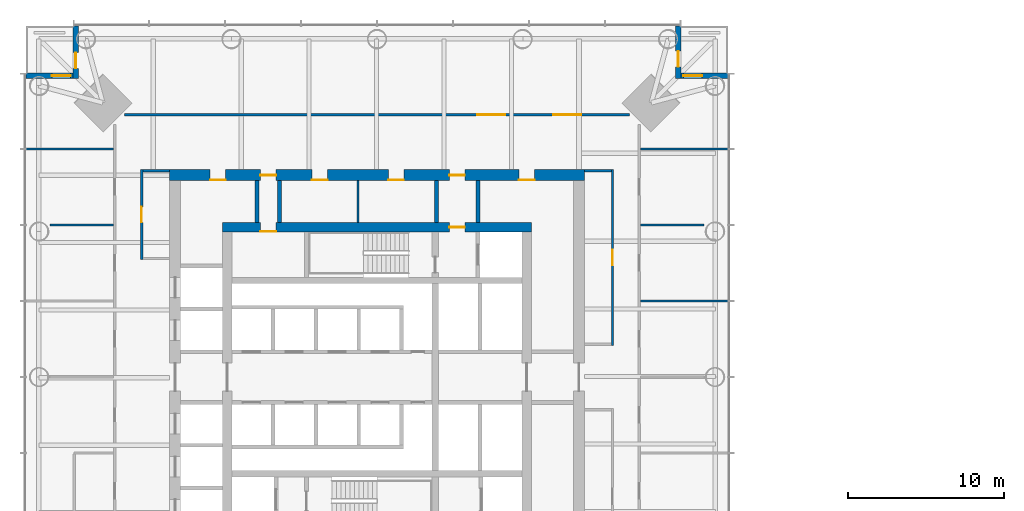
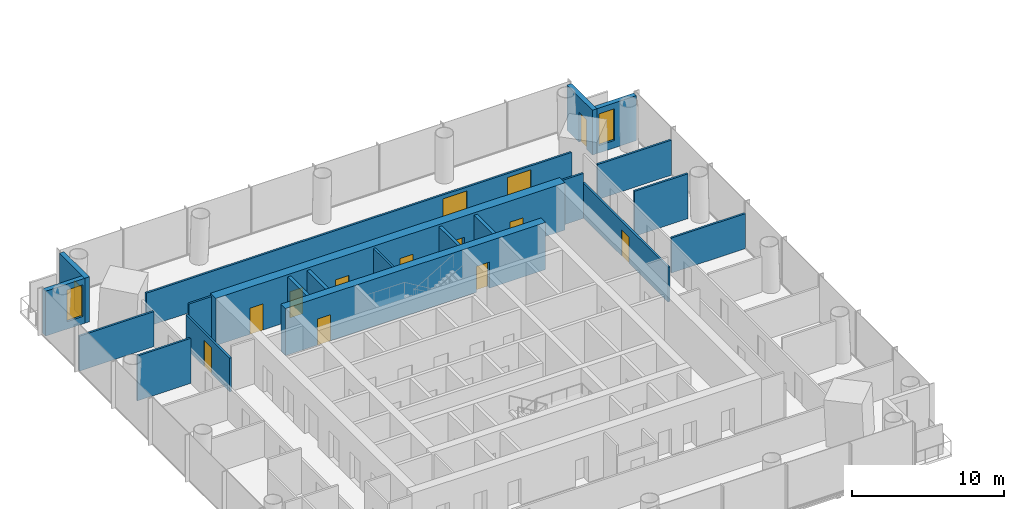
# One storey, part 11 of 18: 21 walls, 14 doors, 2 windows, 16 openings.
"""IFC4 building model written with IfcOpenShell, lengths in metres."""

from ifc_helpers import new_model, si_unit, direction, frame, frame_2d, origin, place, context, subcontext, project, spatial, rectangle, extrude, material, layer, layer_set, type_object, element, fill, save


model = new_model("IFC4")

# Units and contexts
model_context = context("Model", 3, precision=1e-05, world=origin(), true_north=direction((0.0, 1.0)))
body_context = subcontext(model_context, "Body", "Model", "MODEL_VIEW")
ifc_project = project(units=[si_unit("LENGTHUNIT", "METRE"), si_unit("AREAUNIT", "SQUARE_METRE"), si_unit("VOLUMEUNIT", "CUBIC_METRE"), si_unit("PLANEANGLEUNIT", "RADIAN"), si_unit("MASSUNIT", "GRAM", prefix="KILO")], contexts=[model_context])

# Site, building, storey
site_placement = place(None, origin())
site = spatial("IfcSite", under=ifc_project, at=site_placement, CompositionType="ELEMENT")
building_placement = place(site_placement, origin())
building = spatial("IfcBuilding", under=site, at=building_placement, Name="Ostroluk Exchange", CompositionType="ELEMENT")
storey_placement = place(building_placement, frame((0.0, 0.0, 93.199951171875)))
storey = spatial("IfcBuildingStorey", under=building, at=storey_placement, Name="L23", CompositionType="ELEMENT", Elevation=93.199951171875)

# Walls
ifc_material_1 = material(Name="Concrete blockwork", Category="masonry")
ifc_layer_1 = layer(ifc_material_1, 0.14990234375)
ifc_layer_set_1 = layer_set([ifc_layer_1], Name="Blockwork plant room wall 150")
wall_type_1 = type_object("IfcWallType", Name="Blockwork plant room wall 150", PredefinedType="SOLIDWALL", material=ifc_layer_set_1)
wall_1_placement = place(storey_placement, frame((43.777587890625, 55.89990234375, 0.0), z_axis=(0.0, 0.0, 1.0), x_axis=(0.0, 1.0, 0.0)))
element("IfcWall", 1, at=wall_1_placement, inside=storey, type_object=wall_type_1, Name="Core room wall", PredefinedType="SOLIDWALL", context=body_context, shape_type="SweptSolid", body=[
    extrude(rectangle(XDim=2.7001953125, YDim=0.14990234375, at=frame_2d((1.35009765625, 0.0))), origin(), (0.0, 0.0, 1.0), 3.6201171875),
])
ifc_material_2 = material(Name="Concrete blockwork", Category="masonry")
ifc_layer_2 = layer(ifc_material_2, 0.25)
ifc_layer_set_2 = layer_set([ifc_layer_2], Name="Blockwork stair enclosure wall 250")
wall_type_2 = type_object("IfcWallType", Name="Blockwork stair enclosure wall 250", PredefinedType="SOLIDWALL", material=ifc_layer_set_2)
for number, where, z_axis, x_axis, name in (
    (2, (48.804931640625, 55.89990234375, 0.0), (0.0, 0.0, 1.0), (0.0, 1.0, 0.0), "Fire lobby enclosure wall"),
    (3, (51.47509765625, 55.89990234375, 0.0), (0.0, 0.0, 1.0), (0.0, 1.0, 0.0), "Fire lobby enclosure wall"),
    (4, (37.300048828125, 55.89990234375, 0.0), (0.0, 0.0, 1.0), (0.0, 1.0, 0.0), "Core corridor wall"),
    (5, (38.75, 55.89990234375, 0.0), (0.0, 0.0, 1.0), (0.0, 1.0, 0.0), "Core corridor wall"),
):
    element("IfcWall", number, at=place(storey_placement, frame(where, z_axis=z_axis, x_axis=x_axis)), inside=storey, type_object=wall_type_2, Name=name, PredefinedType="SOLIDWALL", context=body_context, shape_type="SweptSolid", body=[
        extrude(rectangle(XDim=2.7001953125, YDim=0.25, at=frame_2d((1.35009765625, 0.0))), origin(), (0.0, 0.0, 1.0), 3.6201171875),
    ])

# Wall, openings, doors
ifc_material_3 = material(Name="Concrete C50/60", Category="concrete")
ifc_layer_3 = layer(ifc_material_3, 0.60009765625)
ifc_layer_set_3 = layer_set([ifc_layer_3], Name="Core wall 600 C50/60")
wall_type_3 = type_object("IfcWallType", Name="Core wall 600 C50/60", PredefinedType="SHEAR", material=ifc_layer_set_3)
wall_2_placement = place(storey_placement, frame((35.10009765625, 55.60009765625, 0.0), z_axis=(0.0, 0.0, 1.0), x_axis=(1.0, 0.0, 0.0)))
wall_2 = element("IfcWall", 6, at=wall_2_placement, inside=storey, type_object=wall_type_3, Name="T1 core wall N", PredefinedType="SHEAR", context=body_context, shape_type="SweptSolid", body=[
    extrude(rectangle(XDim=19.7998046875, YDim=0.60009765625, at=frame_2d((9.89990234375, 0.0))), origin(), (0.0, 0.0, 1.0), 3.800048828125),
])
opening_1_placement = place(wall_2_placement, frame((14.5400390625, 0.0, 0.0)))
opening_1 = element("IfcOpeningElement", 7, at=opening_1_placement, cuts=wall_2, Name="Opening FD60", PredefinedType="OPENING", context=body_context, shape_type="SweptSolid", body=[
    extrude(rectangle(XDim=1.0, YDim=2.10009765625, at=frame_2d((0.5, 1.050048828125))), frame((0.0, 0.31005859375, 0.0), z_axis=(0.0, -1.0, 0.0), x_axis=(1.0, 0.0, 0.0)), (0.0, 0.0, 1.0), 0.6201171875),
])
opening_2_placement = place(wall_2_placement, frame((2.425048828125, 0.0, 0.0)))
opening_2 = element("IfcOpeningElement", 8, at=opening_2_placement, cuts=wall_2, Name="Opening FD60", PredefinedType="OPENING", context=body_context, shape_type="SweptSolid", body=[
    extrude(rectangle(XDim=1.0, YDim=2.10009765625, at=frame_2d((0.5, 1.050048828125))), frame((0.0, 0.31005859375, 0.0), z_axis=(0.0, -1.0, 0.0), x_axis=(1.0, 0.0, 0.0)), (0.0, 0.0, 1.0), 0.6201171875),
])
ifc_material_4 = material(Name="Steel", Category="steel")
door_type_1 = type_object("IfcDoorType", Name="Fire door EI 60 1000 x 2100", OperationType="SINGLE_SWING_LEFT", PredefinedType="DOOR", material=ifc_material_4)
door_1_placement = place(opening_1_placement, origin())
door_1 = element("IfcDoor", 9, at=door_1_placement, inside=storey, type_object=door_type_1, Name="Firefighting lobby door", OperationType="SINGLE_SWING_RIGHT", OverallHeight=2.10009765625, OverallWidth=1.0, PredefinedType="DOOR", context=body_context, shape_type="SweptSolid", body=[
    extrude(rectangle(XDim=1.0, YDim=2.10009765625, at=frame_2d((0.5, 1.050048828125))), frame((0.0, 0.02490234375, 0.0), z_axis=(0.0, -1.0, 0.0), x_axis=(1.0, 0.0, 0.0)), (0.0, 0.0, 1.0), 0.050048828125),
])
fill(opening_1, door_1)
door_2_placement = place(opening_2_placement, origin())
door_2 = element("IfcDoor", 10, at=door_2_placement, inside=storey, type_object=door_type_1, Name="Tea point door", OperationType="SINGLE_SWING_LEFT", OverallHeight=2.10009765625, OverallWidth=1.0, PredefinedType="DOOR", context=body_context, shape_type="SweptSolid", body=[
    extrude(rectangle(XDim=1.0, YDim=2.10009765625, at=frame_2d((0.5, 1.050048828125))), frame((0.0, -0.23974609375, 0.0), z_axis=(0.0, -1.0, 0.0), x_axis=(1.0, 0.0, 0.0)), (0.0, 0.0, 1.0), 0.050048828125),
])
fill(opening_2, door_2)

ifc_material_5 = material(Name="Concrete C50/60", Category="concrete")
ifc_layer_4 = layer(ifc_material_5, 0.699951171875)
ifc_layer_set_4 = layer_set([ifc_layer_4], Name="Core wall 700 C50/60")
wall_type_4 = type_object("IfcWallType", Name="Core wall 700 C50/60", PredefinedType="SHEAR", material=ifc_layer_set_4)
wall_3_placement = place(storey_placement, frame((31.699951171875, 58.949951171875, 0.0), z_axis=(0.0, 0.0, 1.0), x_axis=(1.0, 0.0, 0.0)))
wall_3 = element("IfcWall", 11, at=wall_3_placement, inside=storey, type_object=wall_type_4, Name="T1 core wall RN", PredefinedType="SHEAR", context=body_context, shape_type="SweptSolid", body=[
    extrude(rectangle(XDim=26.60009765625, YDim=0.699951171875, at=frame_2d((13.300048828125, 0.0))), origin(), (0.0, 0.0, 1.0), 3.800048828125),
])
opening_3_placement = place(wall_3_placement, frame((17.93994140625, 0.0, 0.0)))
opening_3 = element("IfcOpeningElement", 12, at=opening_3_placement, cuts=wall_3, Name="Opening FD60", PredefinedType="OPENING", context=body_context, shape_type="SweptSolid", body=[
    extrude(rectangle(XDim=1.0, YDim=2.10009765625, at=frame_2d((0.5, 1.050048828125))), frame((0.0, 0.35986328125, 0.0), z_axis=(0.0, -1.0, 0.0), x_axis=(1.0, 0.0, 0.0)), (0.0, 0.0, 1.0), 0.719970703125),
])
opening_4_placement = place(wall_3_placement, frame((5.824951171875, 0.0, 0.0)))
opening_4 = element("IfcOpeningElement", 13, at=opening_4_placement, cuts=wall_3, Name="Opening FD60", PredefinedType="OPENING", context=body_context, shape_type="SweptSolid", body=[
    extrude(rectangle(XDim=1.0, YDim=2.10009765625, at=frame_2d((0.5, 1.050048828125))), frame((0.0, 0.35986328125, 0.0), z_axis=(0.0, -1.0, 0.0), x_axis=(1.0, 0.0, 0.0)), (0.0, 0.0, 1.0), 0.719970703125),
])
opening_5_placement = place(wall_3_placement, frame((2.58740234375, 0.0, 0.0)))
opening_5 = element("IfcOpeningElement", 14, at=opening_5_placement, cuts=wall_3, Name="Opening FD60", PredefinedType="OPENING", context=body_context, shape_type="SweptSolid", body=[
    extrude(rectangle(XDim=1.0, YDim=2.10009765625, at=frame_2d((0.5, 1.050048828125))), frame((0.0, 0.35986328125, 0.0), z_axis=(0.0, -1.0, 0.0), x_axis=(1.0, 0.0, 0.0)), (0.0, 0.0, 1.0), 0.719970703125),
])
opening_6_placement = place(wall_3_placement, frame((9.126220703125, 0.0, 0.0)))
opening_6 = element("IfcOpeningElement", 15, at=opening_6_placement, cuts=wall_3, Name="Opening FD60", PredefinedType="OPENING", context=body_context, shape_type="SweptSolid", body=[
    extrude(rectangle(XDim=1.0, YDim=2.10009765625, at=frame_2d((0.5, 1.050048828125))), frame((0.0, 0.35986328125, 0.0), z_axis=(0.0, -1.0, 0.0), x_axis=(1.0, 0.0, 0.0)), (0.0, 0.0, 1.0), 0.719970703125),
])
opening_7_placement = place(wall_3_placement, frame((14.02880859375, 0.0, 0.0)))
opening_7 = element("IfcOpeningElement", 16, at=opening_7_placement, cuts=wall_3, Name="Opening FD60", PredefinedType="OPENING", context=body_context, shape_type="SweptSolid", body=[
    extrude(rectangle(XDim=1.0, YDim=2.10009765625, at=frame_2d((0.5, 1.050048828125))), frame((0.0, 0.35986328125, 0.0), z_axis=(0.0, -1.0, 0.0), x_axis=(1.0, 0.0, 0.0)), (0.0, 0.0, 1.0), 0.719970703125),
])
opening_8_placement = place(wall_3_placement, frame((22.39990234375, 0.0, 0.0)))
opening_8 = element("IfcOpeningElement", 17, at=opening_8_placement, cuts=wall_3, Name="Opening FD60", PredefinedType="OPENING", context=body_context, shape_type="SweptSolid", body=[
    extrude(rectangle(XDim=1.0, YDim=2.10009765625, at=frame_2d((0.5, 1.050048828125))), frame((0.0, 0.35986328125, 0.0), z_axis=(0.0, -1.0, 0.0), x_axis=(1.0, 0.0, 0.0)), (0.0, 0.0, 1.0), 0.719970703125),
])
door_3_placement = place(opening_3_placement, origin())
door_3 = element("IfcDoor", 18, at=door_3_placement, inside=storey, type_object=door_type_1, Name="Firefighting lobby door", OperationType="SINGLE_SWING_RIGHT", OverallHeight=2.10009765625, OverallWidth=1.0, PredefinedType="DOOR", context=body_context, shape_type="SweptSolid", body=[
    extrude(rectangle(XDim=1.0, YDim=2.10009765625, at=frame_2d((0.5, 1.050048828125))), frame((0.0, 0.02490234375, 0.0), z_axis=(0.0, -1.0, 0.0), x_axis=(1.0, 0.0, 0.0)), (0.0, 0.0, 1.0), 0.050048828125),
])
fill(opening_3, door_3)
door_4_placement = place(opening_4_placement, origin())
door_4 = element("IfcDoor", 19, at=door_4_placement, inside=storey, type_object=door_type_1, Name="Core corridor door", OperationType="SINGLE_SWING_LEFT", OverallHeight=2.10009765625, OverallWidth=1.0, PredefinedType="DOOR", context=body_context, shape_type="SweptSolid", body=[
    extrude(rectangle(XDim=1.0, YDim=2.10009765625, at=frame_2d((0.5, 1.050048828125))), frame((0.0, 0.02490234375, 0.0), z_axis=(0.0, -1.0, 0.0), x_axis=(1.0, 0.0, 0.0)), (0.0, 0.0, 1.0), 0.050048828125),
])
fill(opening_4, door_4)
door_5_placement = place(opening_5_placement, origin())
door_5 = element("IfcDoor", 20, at=door_5_placement, inside=storey, type_object=door_type_1, Name="Tenant IT room door", OperationType="SINGLE_SWING_LEFT", OverallHeight=2.10009765625, OverallWidth=1.0, PredefinedType="DOOR", context=body_context, shape_type="SweptSolid", body=[
    extrude(rectangle(XDim=1.0, YDim=2.10009765625, at=frame_2d((0.5, 1.050048828125))), frame((0.0, -0.2900390625, 0.0), z_axis=(0.0, -1.0, 0.0), x_axis=(1.0, 0.0, 0.0)), (0.0, 0.0, 1.0), 0.050048828125),
])
fill(opening_5, door_5)
door_6_placement = place(opening_6_placement, origin())
door_6 = element("IfcDoor", 21, at=door_6_placement, inside=storey, type_object=door_type_1, Name="Print and post room door", OperationType="SINGLE_SWING_LEFT", OverallHeight=2.10009765625, OverallWidth=1.0, PredefinedType="DOOR", context=body_context, shape_type="SweptSolid", body=[
    extrude(rectangle(XDim=1.0, YDim=2.10009765625, at=frame_2d((0.5, 1.050048828125))), frame((0.0, -0.2900390625, 0.0), z_axis=(0.0, -1.0, 0.0), x_axis=(1.0, 0.0, 0.0)), (0.0, 0.0, 1.0), 0.050048828125),
])
fill(opening_6, door_6)
door_7_placement = place(opening_7_placement, origin())
door_7 = element("IfcDoor", 22, at=door_7_placement, inside=storey, type_object=door_type_1, Name="Archive door", OperationType="SINGLE_SWING_RIGHT", OverallHeight=2.10009765625, OverallWidth=1.0, PredefinedType="DOOR", context=body_context, shape_type="SweptSolid", body=[
    extrude(rectangle(XDim=1.0, YDim=2.10009765625, at=frame_2d((0.5, 1.050048828125))), frame((0.0, -0.2900390625, 0.0), z_axis=(0.0, -1.0, 0.0), x_axis=(1.0, 0.0, 0.0)), (0.0, 0.0, 1.0), 0.050048828125),
])
fill(opening_7, door_7)
door_8_placement = place(opening_8_placement, origin())
door_8 = element("IfcDoor", 23, at=door_8_placement, inside=storey, type_object=door_type_1, Name="First aid room door", OperationType="SINGLE_SWING_RIGHT", OverallHeight=2.10009765625, OverallWidth=1.0, PredefinedType="DOOR", context=body_context, shape_type="SweptSolid", body=[
    extrude(rectangle(XDim=1.0, YDim=2.10009765625, at=frame_2d((0.5, 1.050048828125))), frame((0.0, -0.2900390625, 0.0), z_axis=(0.0, -1.0, 0.0), x_axis=(1.0, 0.0, 0.0)), (0.0, 0.0, 1.0), 0.050048828125),
])
fill(opening_8, door_8)

# Wall, opening, door
ifc_material_6 = material(Name="Limestone", Category="masonry")
ifc_layer_5 = layer(ifc_material_6, 0.35009765625)
ifc_layer_set_5 = layer_set([ifc_layer_5], Name="Limestone facade wall 350")
wall_type_5 = type_object("IfcWallType", Name="Limestone facade wall 350", PredefinedType="SOLIDWALL", material=ifc_layer_set_5)
wall_4_placement = place(storey_placement, frame((64.324951171875, 68.5, 0.0), z_axis=(0.0, 0.0, 1.0), x_axis=(0.0, -1.0, 0.0)))
wall_4 = element("IfcWall", 24, at=wall_4_placement, inside=storey, type_object=wall_type_5, Name="Office tower NE corner wall L23 a", PredefinedType="SOLIDWALL", context=body_context, shape_type="SweptSolid", body=[
    extrude(rectangle(XDim=3.35009765625, YDim=0.35009765625, at=frame_2d((1.675048828125, 0.0))), origin(), (0.0, 0.0, 1.0), 3.6201171875),
])
opening_9_placement = place(wall_4_placement, frame((1.60009765625, 0.0, 0.0)))
opening_9 = element("IfcOpeningElement", 25, at=opening_9_placement, cuts=wall_4, Name="Opening D-B1", PredefinedType="OPENING", context=body_context, shape_type="SweptSolid", body=[
    extrude(rectangle(XDim=1.0, YDim=2.39990234375, at=frame_2d((0.5, 1.199951171875))), frame((0.0, 0.18505859375, 0.0), z_axis=(0.0, -1.0, 0.0), x_axis=(1.0, 0.0, 0.0)), (0.0, 0.0, 1.0), 0.3701171875),
])
ifc_material_7 = material(Name="Bronze framed glazed door", Category="aluminium")
door_type_2 = type_object("IfcDoorType", Name="Balcony door 1000 x 2400", OperationType="SINGLE_SWING_LEFT", PredefinedType="DOOR", material=ifc_material_7)
door_9_placement = place(opening_9_placement, origin())
door_9 = element("IfcDoor", 26, at=door_9_placement, inside=storey, type_object=door_type_2, Name="Office tower NE balcony door L23", OperationType="SINGLE_SWING_RIGHT", OverallHeight=2.39990234375, OverallWidth=1.0, PredefinedType="DOOR", context=body_context, shape_type="SweptSolid", body=[
    extrude(rectangle(XDim=1.0, YDim=2.39990234375, at=frame_2d((0.5, 1.199951171875))), frame((0.0, 0.02490234375, 0.0), z_axis=(0.0, -1.0, 0.0), x_axis=(1.0, 0.0, 0.0)), (0.0, 0.0, 1.0), 0.050048828125),
])
fill(opening_9, door_9)

# Wall, opening, window
wall_5_placement = place(storey_placement, frame((64.5, 65.324951171875, 0.0), z_axis=(0.0, 0.0, 1.0), x_axis=(1.0, 0.0, 0.0)))
wall_5 = element("IfcWall", 27, at=wall_5_placement, inside=storey, type_object=wall_type_5, Name="Office tower NE corner wall L23 b", PredefinedType="SOLIDWALL", context=body_context, shape_type="SweptSolid", body=[
    extrude(rectangle(XDim=3.0, YDim=0.35009765625, at=frame_2d((1.5, 0.0))), origin(), (0.0, 0.0, 1.0), 3.6201171875),
])
opening_10_placement = place(wall_5_placement, frame((0.14990234375, 0.0, 0.60009765625)))
opening_10 = element("IfcOpeningElement", 28, at=opening_10_placement, cuts=wall_5, Name="Opening WN-L1", PredefinedType="OPENING", context=body_context, shape_type="SweptSolid", body=[
    extrude(rectangle(XDim=1.199951171875, YDim=2.550048828125, at=frame_2d((0.60009765625, 1.27490234375))), frame((0.0, 0.18505859375, 0.0), z_axis=(0.0, -1.0, 0.0), x_axis=(1.0, 0.0, 0.0)), (0.0, 0.0, 1.0), 0.3701171875),
])
ifc_material_8 = material(Name="Laminated clear glass", Category="glass")
window_type = type_object("IfcWindowType", Name="Lancet window 1200 x 2550", PartitioningType="SINGLE_PANEL", PredefinedType="WINDOW", material=ifc_material_8)
window_1_placement = place(opening_10_placement, origin())
window_1 = element("IfcWindow", 29, at=window_1_placement, inside=storey, type_object=window_type, Name="Office tower NE lancet window L23", OverallHeight=2.550048828125, OverallWidth=1.199951171875, PartitioningType="SINGLE_PANEL", PredefinedType="WINDOW", context=body_context, shape_type="SweptSolid", body=[
    extrude(rectangle(XDim=1.199951171875, YDim=2.550048828125, at=frame_2d((0.60009765625, 1.27490234375))), frame((0.0, 0.030029296875, 0.0), z_axis=(0.0, -1.0, 0.0), x_axis=(1.0, 0.0, 0.0)), (0.0, 0.0, 1.0), 0.06005859375),
])
fill(opening_10, window_1)

# Wall, opening, door
wall_6_placement = place(storey_placement, frame((25.675048828125, 68.5, 0.0), z_axis=(0.0, 0.0, 1.0), x_axis=(0.0, -1.0, 0.0)))
wall_6 = element("IfcWall", 30, at=wall_6_placement, inside=storey, type_object=wall_type_5, Name="Office tower NW corner wall L23 a", PredefinedType="SOLIDWALL", context=body_context, shape_type="SweptSolid", body=[
    extrude(rectangle(XDim=3.35009765625, YDim=0.35009765625, at=frame_2d((1.675048828125, 0.0))), origin(), (0.0, 0.0, 1.0), 3.6201171875),
])
opening_11_placement = place(wall_6_placement, frame((1.699951171875, 0.0, 0.0)))
opening_11 = element("IfcOpeningElement", 31, at=opening_11_placement, cuts=wall_6, Name="Opening D-B1", PredefinedType="OPENING", context=body_context, shape_type="SweptSolid", body=[
    extrude(rectangle(XDim=1.0, YDim=2.39990234375, at=frame_2d((0.5, 1.199951171875))), frame((0.0, 0.18505859375, 0.0), z_axis=(0.0, -1.0, 0.0), x_axis=(1.0, 0.0, 0.0)), (0.0, 0.0, 1.0), 0.3701171875),
])
door_10_placement = place(opening_11_placement, origin())
door_10 = element("IfcDoor", 32, at=door_10_placement, inside=storey, type_object=door_type_2, Name="Office tower NW balcony door L23", OperationType="SINGLE_SWING_RIGHT", OverallHeight=2.39990234375, OverallWidth=1.0, PredefinedType="DOOR", context=body_context, shape_type="SweptSolid", body=[
    extrude(rectangle(XDim=1.0, YDim=2.39990234375, at=frame_2d((0.5, 1.199951171875))), frame((0.0, 0.02490234375, 0.0), z_axis=(0.0, -1.0, 0.0), x_axis=(1.0, 0.0, 0.0)), (0.0, 0.0, 1.0), 0.050048828125),
])
fill(opening_11, door_10)

# Wall, opening, window
wall_7_placement = place(storey_placement, frame((25.5, 65.324951171875, 0.0), z_axis=(0.0, 0.0, 1.0), x_axis=(-1.0, 0.0, 0.0)))
wall_7 = element("IfcWall", 33, at=wall_7_placement, inside=storey, type_object=wall_type_5, Name="Office tower NW corner wall L23 b", PredefinedType="SOLIDWALL", context=body_context, shape_type="SweptSolid", body=[
    extrude(rectangle(XDim=3.0, YDim=0.35009765625, at=frame_2d((1.5, 0.0))), origin(), (0.0, 0.0, 1.0), 3.6201171875),
])
opening_12_placement = place(wall_7_placement, frame((0.14990234375, 0.0, 0.60009765625)))
opening_12 = element("IfcOpeningElement", 34, at=opening_12_placement, cuts=wall_7, Name="Opening WN-L1", PredefinedType="OPENING", context=body_context, shape_type="SweptSolid", body=[
    extrude(rectangle(XDim=1.199951171875, YDim=2.550048828125, at=frame_2d((0.60009765625, 1.27490234375))), frame((0.0, 0.18505859375, 0.0), z_axis=(0.0, -1.0, 0.0), x_axis=(1.0, 0.0, 0.0)), (0.0, 0.0, 1.0), 0.3701171875),
])
window_2_placement = place(opening_12_placement, origin())
window_2 = element("IfcWindow", 35, at=window_2_placement, inside=storey, type_object=window_type, Name="Office tower NW lancet window L23", OverallHeight=2.550048828125, OverallWidth=1.199951171875, PartitioningType="SINGLE_PANEL", PredefinedType="WINDOW", context=body_context, shape_type="SweptSolid", body=[
    extrude(rectangle(XDim=1.199951171875, YDim=2.550048828125, at=frame_2d((0.60009765625, 1.27490234375))), frame((0.0, 0.030029296875, 0.0), z_axis=(0.0, -1.0, 0.0), x_axis=(1.0, 0.0, 0.0)), (0.0, 0.0, 1.0), 0.06005859375),
])
fill(opening_12, window_2)

# Wall, opening, door
ifc_material_9 = material(Name="Gypsum plasterboard partition", Category="gypsum")
ifc_layer_6 = layer(ifc_material_9, 0.14990234375)
ifc_layer_set_6 = layer_set([ifc_layer_6], Name="Plasterboard partition 150")
wall_type_6 = type_object("IfcWallType", Name="Plasterboard partition 150", PredefinedType="PARTITIONING", material=ifc_layer_set_6)
wall_8_placement = place(storey_placement, frame((60.10009765625, 48.02490234375, 0.0), z_axis=(0.0, 0.0, 1.0), x_axis=(0.0, 1.0, 0.0)))
wall_8 = element("IfcWall", 36, at=wall_8_placement, inside=storey, type_object=wall_type_6, Name="Partition", PredefinedType="PARTITIONING", context=body_context, shape_type="SweptSolid", body=[
    extrude(rectangle(XDim=11.275146484375, YDim=0.14990234375, at=frame_2d((5.6376953125, 0.0))), origin(), (0.0, 0.0, 1.0), 2.80615234375),
])
opening_13_placement = place(wall_8_placement, frame((5.137451171875, 0.0, 0.0)))
opening_13 = element("IfcOpeningElement", 37, at=opening_13_placement, cuts=wall_8, Name="Opening D-03", PredefinedType="OPENING", context=body_context, shape_type="SweptSolid", body=[
    extrude(rectangle(XDim=1.0, YDim=2.10009765625, at=frame_2d((0.5, 1.050048828125))), frame((0.0, 0.0849609375, 0.0), z_axis=(0.0, -1.0, 0.0), x_axis=(1.0, 0.0, 0.0)), (0.0, 0.0, 1.0), 0.169921875),
])
ifc_material_10 = material(Name="Timber", Category="wood")
door_type_3 = type_object("IfcDoorType", Name="Internal door 1000 x 2100", OperationType="SINGLE_SWING_LEFT", PredefinedType="DOOR", material=ifc_material_10)
door_11_placement = place(opening_13_placement, origin())
door_11 = element("IfcDoor", 38, at=door_11_placement, inside=storey, type_object=door_type_3, Name="Project room door", OperationType="SINGLE_SWING_RIGHT", OverallHeight=2.10009765625, OverallWidth=1.0, PredefinedType="DOOR", context=body_context, shape_type="SweptSolid", body=[
    extrude(rectangle(XDim=1.0, YDim=2.10009765625, at=frame_2d((0.5, 1.050048828125))), frame((0.0, 0.02490234375, 0.0), z_axis=(0.0, -1.0, 0.0), x_axis=(1.0, 0.0, 0.0)), (0.0, 0.0, 1.0), 0.050048828125),
])
fill(opening_13, door_11)

# Wall
wall_9_placement = place(storey_placement, frame((58.300048828125, 59.22509765625, 0.0), z_axis=(0.0, 0.0, 1.0), x_axis=(1.0, 0.0, 0.0)))
element("IfcWall", 39, at=wall_9_placement, inside=storey, type_object=wall_type_6, Name="Partition", PredefinedType="PARTITIONING", context=body_context, shape_type="SweptSolid", body=[
    extrude(rectangle(XDim=1.724853515625, YDim=0.14990234375, at=frame_2d((0.8623046875, 0.0))), origin(), (0.0, 0.0, 1.0), 3.6201171875),
])

# Wall, opening, door
wall_10_placement = place(storey_placement, frame((29.89990234375, 59.300048828125, 0.0), z_axis=(0.0, 0.0, 1.0), x_axis=(0.0, -1.0, 0.0)))
wall_10 = element("IfcWall", 40, at=wall_10_placement, inside=storey, type_object=wall_type_6, Name="Partition", PredefinedType="PARTITIONING", context=body_context, shape_type="SweptSolid", body=[
    extrude(rectangle(XDim=5.775146484375, YDim=0.14990234375, at=frame_2d((2.8876953125, 0.0))), origin(), (0.0, 0.0, 1.0), 2.719970703125),
])
opening_14_placement = place(wall_10_placement, frame((2.387451171875, 0.0, 0.0)))
opening_14 = element("IfcOpeningElement", 41, at=opening_14_placement, cuts=wall_10, Name="Opening D-03", PredefinedType="OPENING", context=body_context, shape_type="SweptSolid", body=[
    extrude(rectangle(XDim=1.0, YDim=2.10009765625, at=frame_2d((0.5, 1.050048828125))), frame((0.0, 0.0849609375, 0.0), z_axis=(0.0, -1.0, 0.0), x_axis=(1.0, 0.0, 0.0)), (0.0, 0.0, 1.0), 0.169921875),
])
door_12_placement = place(opening_14_placement, origin())
door_12 = element("IfcDoor", 42, at=door_12_placement, inside=storey, type_object=door_type_3, Name="Project room door", OperationType="SINGLE_SWING_RIGHT", OverallHeight=2.10009765625, OverallWidth=1.0, PredefinedType="DOOR", context=body_context, shape_type="SweptSolid", body=[
    extrude(rectangle(XDim=1.0, YDim=2.10009765625, at=frame_2d((0.5, 1.050048828125))), frame((0.0, 0.02490234375, 0.0), z_axis=(0.0, -1.0, 0.0), x_axis=(1.0, 0.0, 0.0)), (0.0, 0.0, 1.0), 0.050048828125),
])
fill(opening_14, door_12)

# Walls
wall_11_placement = place(storey_placement, frame((31.699951171875, 59.22509765625, 0.0), z_axis=(0.0, 0.0, 1.0), x_axis=(-1.0, 0.0, 0.0)))
element("IfcWall", 43, at=wall_11_placement, inside=storey, type_object=wall_type_6, Name="Partition", PredefinedType="PARTITIONING", context=body_context, shape_type="SweptSolid", body=[
    extrude(rectangle(XDim=1.724853515625, YDim=0.14990234375, at=frame_2d((0.8623046875, 0.0))), origin(), (0.0, 0.0, 1.0), 3.6201171875),
])
wall_12_placement = place(storey_placement, frame((61.89990234375, 50.875, 0.0), z_axis=(0.0, 0.0, 1.0), x_axis=(1.0, 0.0, 0.0)))
element("IfcWall", 44, at=wall_12_placement, inside=storey, type_object=wall_type_6, Name="Partition", PredefinedType="PARTITIONING", context=body_context, shape_type="SweptSolid", body=[
    extrude(rectangle(XDim=5.64013671875, YDim=0.14990234375, at=frame_2d((2.820068359375, 0.0))), origin(), (0.0, 0.0, 1.0), 2.820068359375),
])
wall_13_placement = place(storey_placement, frame((61.89990234375, 55.75, 0.0), z_axis=(0.0, 0.0, 1.0), x_axis=(1.0, 0.0, 0.0)))
element("IfcWall", 45, at=wall_13_placement, inside=storey, type_object=wall_type_6, Name="Partition", PredefinedType="PARTITIONING", context=body_context, shape_type="SweptSolid", body=[
    extrude(rectangle(XDim=4.06201171875, YDim=0.14990234375, at=frame_2d((2.031005859375, 0.0))), origin(), (0.0, 0.0, 1.0), 3.6201171875),
])
wall_14_placement = place(storey_placement, frame((61.89990234375, 60.625, 0.0), z_axis=(0.0, 0.0, 1.0), x_axis=(1.0, 0.0, 0.0)))
element("IfcWall", 46, at=wall_14_placement, inside=storey, type_object=wall_type_6, Name="Partition", PredefinedType="PARTITIONING", context=body_context, shape_type="SweptSolid", body=[
    extrude(rectangle(XDim=5.64013671875, YDim=0.14990234375, at=frame_2d((2.820068359375, 0.0))), origin(), (0.0, 0.0, 1.0), 2.820068359375),
])

# Wall, openings, doors
wall_15_placement = place(storey_placement, frame((61.204345703125, 62.824951171875, 0.0), z_axis=(0.0, 0.0, 1.0), x_axis=(-1.0, 0.0, 0.0)))
wall_15 = element("IfcWall", 47, at=wall_15_placement, inside=storey, type_object=wall_type_6, Name="Partition", PredefinedType="PARTITIONING", context=body_context, shape_type="SweptSolid", body=[
    extrude(rectangle(XDim=32.40869140625, YDim=0.14990234375, at=frame_2d((16.204345703125, 0.0))), origin(), (0.0, 0.0, 1.0), 2.719970703125),
])
opening_15_placement = place(wall_15_placement, frame((3.116943359375, 0.0, 0.0)))
opening_15 = element("IfcOpeningElement", 48, at=opening_15_placement, cuts=wall_15, Name="Opening D-04", PredefinedType="OPENING", context=body_context, shape_type="SweptSolid", body=[
    extrude(rectangle(XDim=1.800048828125, YDim=2.39990234375, at=frame_2d((0.89990234375, 1.199951171875))), frame((0.0, 0.0849609375, 0.0), z_axis=(0.0, -1.0, 0.0), x_axis=(1.0, 0.0, 0.0)), (0.0, 0.0, 1.0), 0.169921875),
])
opening_16_placement = place(wall_15_placement, frame((7.991943359375, 0.0, 0.0)))
opening_16 = element("IfcOpeningElement", 49, at=opening_16_placement, cuts=wall_15, Name="Opening D-04", PredefinedType="OPENING", context=body_context, shape_type="SweptSolid", body=[
    extrude(rectangle(XDim=1.800048828125, YDim=2.39990234375, at=frame_2d((0.89990234375, 1.199951171875))), frame((0.0, 0.0849609375, 0.0), z_axis=(0.0, -1.0, 0.0), x_axis=(1.0, 0.0, 0.0)), (0.0, 0.0, 1.0), 0.169921875),
])
ifc_material_11 = material(Name="Timber", Category="wood")
door_type_4 = type_object("IfcDoorType", Name="Double door 1800 x 2400", OperationType="DOUBLE_DOOR_SINGLE_SWING", PredefinedType="DOOR", material=ifc_material_11)
door_13_placement = place(opening_15_placement, origin())
door_13 = element("IfcDoor", 50, at=door_13_placement, inside=storey, type_object=door_type_4, Name="Open plan office door", OperationType="DOUBLE_DOOR_SINGLE_SWING", OverallHeight=2.39990234375, OverallWidth=1.800048828125, PredefinedType="DOOR", context=body_context, shape_type="SweptSolid", body=[
    extrude(rectangle(XDim=1.800048828125, YDim=2.39990234375, at=frame_2d((0.89990234375, 1.199951171875))), frame((0.0, 0.02490234375, 0.0), z_axis=(0.0, -1.0, 0.0), x_axis=(1.0, 0.0, 0.0)), (0.0, 0.0, 1.0), 0.050048828125),
])
fill(opening_15, door_13)
door_14_placement = place(opening_16_placement, origin())
door_14 = element("IfcDoor", 51, at=door_14_placement, inside=storey, type_object=door_type_4, Name="Open plan office door", OperationType="DOUBLE_DOOR_SINGLE_SWING", OverallHeight=2.39990234375, OverallWidth=1.800048828125, PredefinedType="DOOR", context=body_context, shape_type="SweptSolid", body=[
    extrude(rectangle(XDim=1.800048828125, YDim=2.39990234375, at=frame_2d((0.89990234375, 1.199951171875))), frame((0.0, 0.02490234375, 0.0), z_axis=(0.0, -1.0, 0.0), x_axis=(1.0, 0.0, 0.0)), (0.0, 0.0, 1.0), 0.050048828125),
])
fill(opening_16, door_14)

# Walls
wall_16_placement = place(storey_placement, frame((28.10009765625, 60.625, 0.0), z_axis=(0.0, 0.0, 1.0), x_axis=(-1.0, 0.0, 0.0)))
element("IfcWall", 52, at=wall_16_placement, inside=storey, type_object=wall_type_6, Name="Partition", PredefinedType="PARTITIONING", context=body_context, shape_type="SweptSolid", body=[
    extrude(rectangle(XDim=5.64013671875, YDim=0.14990234375, at=frame_2d((2.820068359375, 0.0))), origin(), (0.0, 0.0, 1.0), 2.820068359375),
])
wall_17_placement = place(storey_placement, frame((28.10009765625, 55.75, 0.0), z_axis=(0.0, 0.0, 1.0), x_axis=(-1.0, 0.0, 0.0)))
element("IfcWall", 53, at=wall_17_placement, inside=storey, type_object=wall_type_6, Name="Partition", PredefinedType="PARTITIONING", context=body_context, shape_type="SweptSolid", body=[
    extrude(rectangle(XDim=4.06201171875, YDim=0.14990234375, at=frame_2d((2.031005859375, 0.0))), origin(), (0.0, 0.0, 1.0), 3.6201171875),
])

save(model, "model.ifc")
